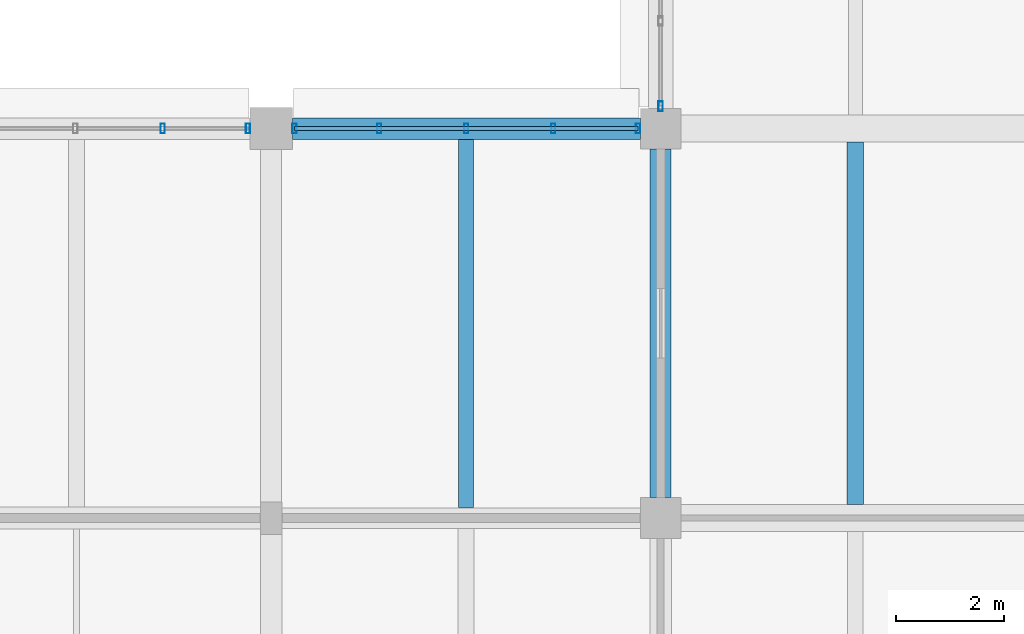
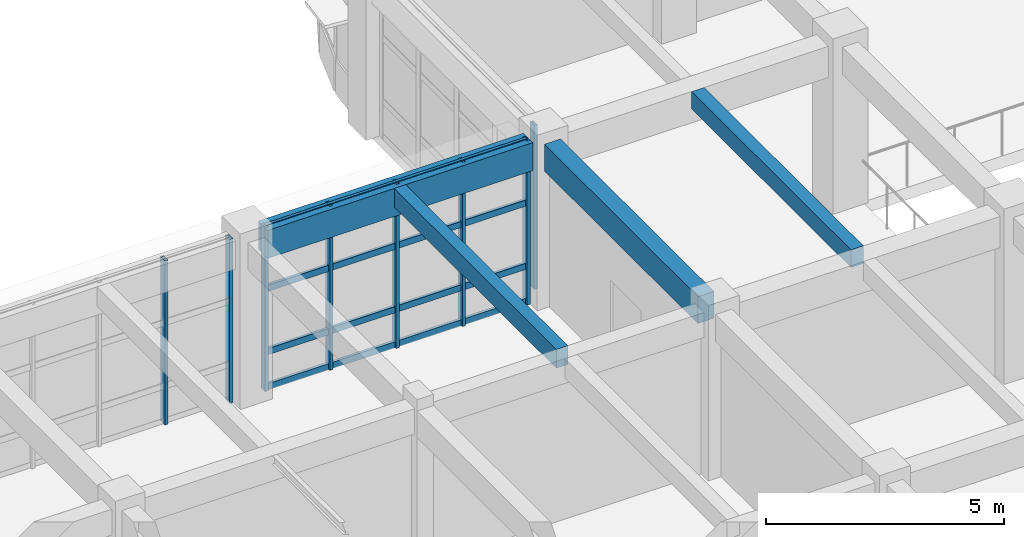
# One storey, part 17 of 171: 12 members, 4 beams, 3 elements without a shape of their own.
"""IFC4 building model written with IfcOpenShell, lengths in metres."""

from ifc_helpers import new_model, si_unit, direction, frame, origin, origin_2d, place, context, subcontext, project, spatial, rectangle, hollow_rectangle, extrude, material, material_profile, profile_set, type_object, element, aggregate, save


model = new_model("IFC4")

# Units and contexts
model_context = context("Model", 3, precision=1e-05, world=origin(), true_north=direction((0.0, 1.0)))
body_context = subcontext(model_context, "Body", "Model", "MODEL_VIEW")
ifc_project = project(units=[si_unit("LENGTHUNIT", "METRE"), si_unit("AREAUNIT", "SQUARE_METRE"), si_unit("VOLUMEUNIT", "CUBIC_METRE"), si_unit("PLANEANGLEUNIT", "RADIAN"), si_unit("MASSUNIT", "GRAM", prefix="KILO")], contexts=[model_context])

# Site, building, storey
site_placement = place(None, origin())
site = spatial("IfcSite", under=ifc_project, at=site_placement, CompositionType="ELEMENT")
building_placement = place(site_placement, origin())
building = spatial("IfcBuilding", under=site, at=building_placement, Name="Thalmaran Polytechnic", CompositionType="ELEMENT")
storey_placement = place(building_placement, frame((0.0, 0.0, 5.39990234375)))
storey = spatial("IfcBuildingStorey", under=building, at=storey_placement, Name="L01", CompositionType="ELEMENT", Elevation=5.39990234375)

# Beams
ifc_material_1 = material(Name="Concrete C40/50", Category="concrete")
ifc_material_profile_1 = material_profile(ifc_material_1, rectangle(XDim=0.389892578125, YDim=0.68994140625, at=origin_2d()), Name="RC 390x690")
ifc_profile_set_1 = profile_set([ifc_material_profile_1], Name="Concrete C40/50")
beam_type_1 = type_object("IfcBeamType", Name="BM-RC09", PredefinedType="BEAM", material=ifc_profile_set_1)
beam_1_placement = place(storey_placement, frame((57.60009765625, 14.77490234375, 3.864990234375), z_axis=(0.0, 1.0, 0.0), x_axis=(-1.0, 0.0, 0.0)))
element("IfcBeam", 1, at=beam_1_placement, inside=storey, type_object=beam_type_1, Name="Grid Beam B09 L01 Y(8,2)", PredefinedType="BEAM", context=body_context, shape_type="SweptSolid", body=[
    extrude(rectangle(XDim=0.389892578125, YDim=0.68994140625, at=origin_2d()), origin(), (0.0, 0.0, 1.0), 6.4501953125),
])
ifc_material_profile_2 = material_profile(ifc_material_1, rectangle(XDim=0.300048828125, YDim=0.449951171875, at=origin_2d()), Name="RC 300x450")
ifc_profile_set_2 = profile_set([ifc_material_profile_2], Name="Concrete C40/50")
beam_type_2 = type_object("IfcBeamType", Name="BM-RC12", PredefinedType="JOIST", material=ifc_profile_set_2)
beam_2_placement = place(storey_placement, frame((61.199951171875, 14.64990234375, 3.985107421875), z_axis=(0.0, 1.0, 0.0), x_axis=(-1.0, 0.0, 0.0)))
element("IfcBeam", 2, at=beam_2_placement, inside=storey, type_object=beam_type_2, Name="Secondary Floor Rib RB02 L01 (8,2)", PredefinedType="JOIST", context=body_context, shape_type="SweptSolid", body=[
    extrude(rectangle(XDim=0.300048828125, YDim=0.449951171875, at=origin_2d()), origin(), (0.0, 0.0, 1.0), 6.7001953125),
])
ifc_material_profile_3 = material_profile(ifc_material_1, rectangle(XDim=0.39990234375, YDim=0.719970703125, at=origin_2d()), Name="RC 400x720")
ifc_profile_set_3 = profile_set([ifc_material_profile_3], Name="Concrete C40/50")
beam_type_3 = type_object("IfcBeamType", Name="BM-SP01", PredefinedType="SPANDREL", material=ifc_profile_set_3)
beam_3_placement = place(storey_placement, frame((50.7900390625, 21.60009765625, 3.85009765625), z_axis=(1.0, 0.0, 0.0), x_axis=(0.0, 1.0, 0.0)))
element("IfcBeam", 3, at=beam_3_placement, inside=storey, type_object=beam_type_3, Name="Grid Beam SP01 L01 X(7,3)", PredefinedType="SPANDREL", context=body_context, shape_type="SweptSolid", body=[
    extrude(rectangle(XDim=0.39990234375, YDim=0.719970703125, at=origin_2d()), origin(), (0.0, 0.0, 1.0), 6.43505859375),
])
ifc_material_profile_4 = material_profile(ifc_material_1, rectangle(XDim=0.280029296875, YDim=0.47998046875, at=origin_2d()), Name="RC 280x480")
ifc_profile_set_4 = profile_set([ifc_material_profile_4], Name="Concrete C40/50")
beam_type_4 = type_object("IfcBeamType", Name="BM-ZJ01", PredefinedType="JOIST", material=ifc_profile_set_4)
beam_4_placement = place(storey_placement, frame((54.0, 14.590087890625, 3.97021484375), z_axis=(0.0, 1.0, 0.0), x_axis=(-1.0, 0.0, 0.0)))
element("IfcBeam", 4, at=beam_4_placement, inside=storey, type_object=beam_type_4, Name="Secondary Floor Rib ZJ01 L01 (7,2)", PredefinedType="JOIST", context=body_context, shape_type="SweptSolid", body=[
    extrude(rectangle(XDim=0.280029296875, YDim=0.47998046875, at=origin_2d()), origin(), (0.0, 0.0, 1.0), 6.809814453125),
])

# Curtain wall, members
ifc_material_2 = material(Name="Aluminium 6063-T6", Category="aluminium")
curtain_wall_type = type_object("IfcCurtainWallType", Name="CW-UC02", PredefinedType="USERDEFINED", material=ifc_material_2)
curtain_wall_1_placement = place(storey_placement, origin())
curtain_wall_1 = element("IfcCurtainWall", 5, at=curtain_wall_1_placement, inside=storey, type_object=curtain_wall_type, Name="Curtain Wall CW-L01-165", ObjectType="UNITISED CURTAIN WALL", PredefinedType="USERDEFINED")
ifc_material_profile_5 = material_profile(ifc_material_2, hollow_rectangle(XDim=0.080078125, YDim=0.179931640625, WallThickness=0.0048828125, at=origin_2d()), Name="RHS 180x80x5.0")
ifc_profile_set_5 = profile_set([ifc_material_profile_5], Name="Aluminium 6063-T6")
member_type_1 = type_object("IfcMemberType", Name="CW-MUL1", PredefinedType="MULLION", material=ifc_profile_set_5)
member_1_placement = place(storey_placement, frame((48.39501953125, 21.60009765625, 0.0), z_axis=(0.0, 0.0, 1.0), x_axis=(1.0, 0.0, 0.0)))
member_1 = element("IfcMember", 6, at=member_1_placement, type_object=member_type_1, Name="CW-L01-165 Mullion 4", PredefinedType="MULLION", context=body_context, shape_type="SweptSolid", body=[
    extrude(hollow_rectangle(XDim=0.080078125, YDim=0.179931640625, WallThickness=0.0048828125, at=origin_2d()), origin(), (0.0, 0.0, 1.0), 4.210205078125),
])
member_2_placement = place(storey_placement, frame((49.969970703125, 21.60009765625, 0.0), z_axis=(0.0, 0.0, 1.0), x_axis=(1.0, 0.0, 0.0)))
member_2 = element("IfcMember", 7, at=member_2_placement, type_object=member_type_1, Name="CW-L01-165 Mullion 5", PredefinedType="MULLION", context=body_context, shape_type="SweptSolid", body=[
    extrude(hollow_rectangle(XDim=0.080078125, YDim=0.179931640625, WallThickness=0.0048828125, at=origin_2d()), origin(), (0.0, 0.0, 1.0), 4.210205078125),
])
aggregate(curtain_wall_1, [member_1, member_2])

curtain_wall_2_placement = place(storey_placement, origin())
curtain_wall_2 = element("IfcCurtainWall", 8, at=curtain_wall_2_placement, inside=storey, type_object=curtain_wall_type, Name="Curtain Wall CW-L01-166", ObjectType="UNITISED CURTAIN WALL", PredefinedType="USERDEFINED")
member_3_placement = place(storey_placement, frame((50.830078125, 21.60009765625, 0.0), z_axis=(0.0, 0.0, 1.0), x_axis=(1.0, 0.0, 0.0)))
member_3 = element("IfcMember", 9, at=member_3_placement, type_object=member_type_1, Name="CW-L01-166 Mullion 1", PredefinedType="MULLION", context=body_context, shape_type="SweptSolid", body=[
    extrude(hollow_rectangle(XDim=0.080078125, YDim=0.179931640625, WallThickness=0.0048828125, at=origin_2d()), origin(), (0.0, 0.0, 1.0), 4.210205078125),
])
member_4_placement = place(storey_placement, frame((52.398681640625, 21.60009765625, 0.0), z_axis=(0.0, 0.0, 1.0), x_axis=(1.0, 0.0, 0.0)))
member_4 = element("IfcMember", 10, at=member_4_placement, type_object=member_type_1, Name="CW-L01-166 Mullion 2", PredefinedType="MULLION", context=body_context, shape_type="SweptSolid", body=[
    extrude(hollow_rectangle(XDim=0.080078125, YDim=0.179931640625, WallThickness=0.0048828125, at=origin_2d()), origin(), (0.0, 0.0, 1.0), 4.210205078125),
])
member_5_placement = place(storey_placement, frame((54.007568359375, 21.60009765625, 0.0), z_axis=(0.0, 0.0, 1.0), x_axis=(1.0, 0.0, 0.0)))
member_5 = element("IfcMember", 11, at=member_5_placement, type_object=member_type_1, Name="CW-L01-166 Mullion 3", PredefinedType="MULLION", context=body_context, shape_type="SweptSolid", body=[
    extrude(hollow_rectangle(XDim=0.080078125, YDim=0.179931640625, WallThickness=0.0048828125, at=origin_2d()), origin(), (0.0, 0.0, 1.0), 4.210205078125),
])
member_6_placement = place(storey_placement, frame((55.6162109375, 21.60009765625, 0.0), z_axis=(0.0, 0.0, 1.0), x_axis=(1.0, 0.0, 0.0)))
member_6 = element("IfcMember", 12, at=member_6_placement, type_object=member_type_1, Name="CW-L01-166 Mullion 4", PredefinedType="MULLION", context=body_context, shape_type="SweptSolid", body=[
    extrude(hollow_rectangle(XDim=0.080078125, YDim=0.179931640625, WallThickness=0.0048828125, at=origin_2d()), origin(), (0.0, 0.0, 1.0), 4.210205078125),
])
member_7_placement = place(storey_placement, frame((57.18505859375, 21.60009765625, 0.0), z_axis=(0.0, 0.0, 1.0), x_axis=(1.0, 0.0, 0.0)))
member_7 = element("IfcMember", 13, at=member_7_placement, type_object=member_type_1, Name="CW-L01-166 Mullion 5", PredefinedType="MULLION", context=body_context, shape_type="SweptSolid", body=[
    extrude(hollow_rectangle(XDim=0.080078125, YDim=0.179931640625, WallThickness=0.0048828125, at=origin_2d()), origin(), (0.0, 0.0, 1.0), 4.210205078125),
])

# Curtain wall, member
curtain_wall_3_placement = place(storey_placement, origin())
curtain_wall_3 = element("IfcCurtainWall", 14, at=curtain_wall_3_placement, inside=storey, type_object=curtain_wall_type, Name="Curtain Wall CW-L01-167", ObjectType="UNITISED CURTAIN WALL", PredefinedType="USERDEFINED")
member_8_placement = place(storey_placement, frame((57.60009765625, 22.014892578125, 0.0), z_axis=(0.0, 0.0, 1.0), x_axis=(1.0, 0.0, 0.0)))
member_8 = element("IfcMember", 15, at=member_8_placement, type_object=member_type_1, Name="CW-L01-167 Mullion 1", PredefinedType="MULLION", context=body_context, shape_type="SweptSolid", body=[
    extrude(hollow_rectangle(XDim=0.080078125, YDim=0.179931640625, WallThickness=0.0048828125, at=origin_2d()), origin(), (0.0, 0.0, 1.0), 4.210205078125),
])
aggregate(curtain_wall_3, [member_8])

# Member
ifc_material_profile_6 = material_profile(ifc_material_2, hollow_rectangle(XDim=0.070068359375, YDim=0.159912109375, WallThickness=0.00390625, at=origin_2d()), Name="AL 160x70x4.0")
ifc_profile_set_6 = profile_set([ifc_material_profile_6], Name="Aluminium 6063-T6")
member_type_2 = type_object("IfcMemberType", Name="CW-TRN1", PredefinedType="USERDEFINED", material=ifc_profile_set_6)
member_9_placement = place(storey_placement, frame((50.830078125, 21.60009765625, 0.06005859375), z_axis=(1.0, 0.0, 0.0), x_axis=(0.0, 1.0, 0.0)))
member_9 = element("IfcMember", 16, at=member_9_placement, type_object=member_type_2, Name="CW-L01-166 Transom 1", ObjectType="TRANSOM", PredefinedType="USERDEFINED", context=body_context, shape_type="SweptSolid", body=[
    extrude(hollow_rectangle(XDim=0.070068359375, YDim=0.159912109375, WallThickness=0.00390625, at=origin_2d()), origin(), (0.0, 0.0, 1.0), 6.35498046875),
])

member_10_placement = place(storey_placement, frame((50.830078125, 21.60009765625, 0.960205078125), z_axis=(1.0, 0.0, 0.0), x_axis=(0.0, 1.0, 0.0)))
member_10 = element("IfcMember", 17, at=member_10_placement, type_object=member_type_2, Name="CW-L01-166 Transom 2", ObjectType="TRANSOM", PredefinedType="USERDEFINED", context=body_context, shape_type="SweptSolid", body=[
    extrude(hollow_rectangle(XDim=0.070068359375, YDim=0.159912109375, WallThickness=0.00390625, at=origin_2d()), origin(), (0.0, 0.0, 1.0), 6.35498046875),
])

member_11_placement = place(storey_placement, frame((50.830078125, 21.60009765625, 2.585205078125), z_axis=(1.0, 0.0, 0.0), x_axis=(0.0, 1.0, 0.0)))
member_11 = element("IfcMember", 18, at=member_11_placement, type_object=member_type_2, Name="CW-L01-166 Transom 3", ObjectType="TRANSOM", PredefinedType="USERDEFINED", context=body_context, shape_type="SweptSolid", body=[
    extrude(hollow_rectangle(XDim=0.070068359375, YDim=0.159912109375, WallThickness=0.00390625, at=origin_2d()), origin(), (0.0, 0.0, 1.0), 6.35498046875),
])

member_12_placement = place(storey_placement, frame((50.830078125, 21.60009765625, 4.150146484375), z_axis=(1.0, 0.0, 0.0), x_axis=(0.0, 1.0, 0.0)))
member_12 = element("IfcMember", 19, at=member_12_placement, type_object=member_type_2, Name="CW-L01-166 Transom 4", ObjectType="TRANSOM", PredefinedType="USERDEFINED", context=body_context, shape_type="SweptSolid", body=[
    extrude(hollow_rectangle(XDim=0.070068359375, YDim=0.159912109375, WallThickness=0.00390625, at=origin_2d()), origin(), (0.0, 0.0, 1.0), 6.35498046875),
])

aggregate(curtain_wall_2, [member_3, member_4, member_5, member_6, member_7, member_9, member_10, member_11, member_12])

save(model, "model.ifc")
